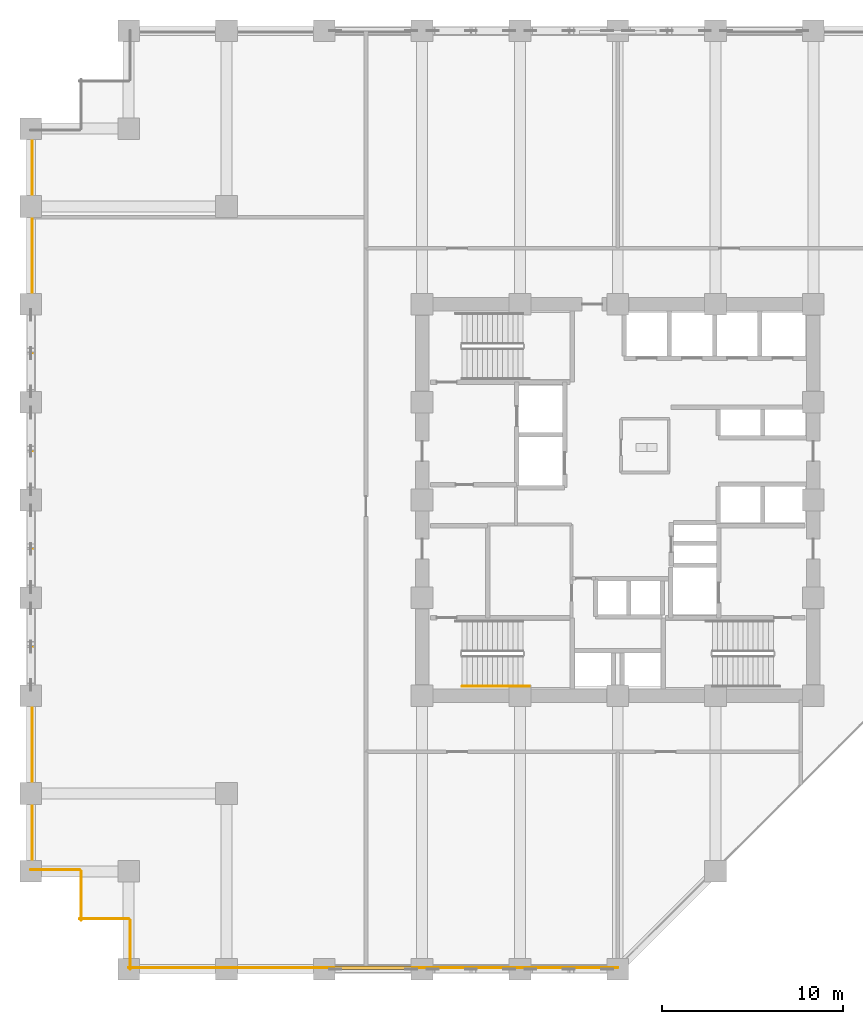
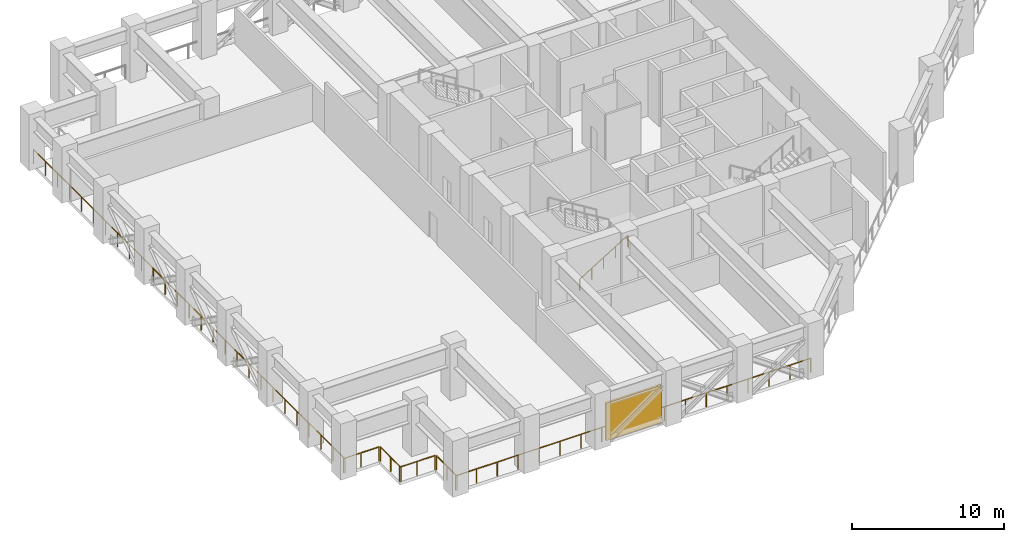
# One storey, part 7 of 12: 7 railings, 1 shading device.
"""IFC4 building model written with IfcOpenShell, lengths in metres."""

from ifc_helpers import new_model, si_unit, direction, frame, origin, origin_2d, place, context, subcontext, project, spatial, rectangle, circle, extrude, material, type_object, element, save


model = new_model("IFC4")

# Units and contexts
model_context = context("Model", 3, precision=1e-05, world=origin(), true_north=direction((0.0, 1.0)))
body_context = subcontext(model_context, "Body", "Model", "MODEL_VIEW")
ifc_project = project(units=[si_unit("LENGTHUNIT", "METRE"), si_unit("AREAUNIT", "SQUARE_METRE"), si_unit("VOLUMEUNIT", "CUBIC_METRE"), si_unit("PLANEANGLEUNIT", "RADIAN"), si_unit("MASSUNIT", "GRAM", prefix="KILO")], contexts=[model_context])

# Site, building, storey
site_placement = place(None, origin())
site = spatial("IfcSite", under=ifc_project, at=site_placement, CompositionType="ELEMENT")
building_placement = place(site_placement, origin())
building = spatial("IfcBuilding", under=site, at=building_placement, Name="Surkhivell Harbour Commons", CompositionType="ELEMENT")
storey_placement = place(building_placement, frame((0.0, 0.0, 78.75)))
storey = spatial("IfcBuildingStorey", under=building, at=storey_placement, Name="L20", CompositionType="ELEMENT", Elevation=78.75)

# Railings
ifc_material_1 = material(Name="Laminated safety glass and stainless steel S355 balustrade", Category="steel")
railing_type_1 = type_object("IfcRailingType", Name="RAL-BAL-1150", PredefinedType="BALUSTRADE", material=ifc_material_1)
railing_1_placement = place(storey_placement, frame((-27.0, -25.820068359375, 0.0)))
element("IfcRailing", 1, at=railing_1_placement, inside=storey, type_object=railing_type_1, Name="L20 Perimeter Safety Guard 01", PredefinedType="BALUSTRADE", context=body_context, shape_type="SweptSolid", body=[
    extrude(circle(Radius=0.02392578125, at=origin_2d()), frame((0.0, 0.0, 1.1259765625), z_axis=(1.0, 0.0, 0.0), x_axis=(0.0, 1.0, 0.0)), (0.0, 0.0, 1.0), 27.0),
    extrude(circle(Radius=0.02099609375, at=origin_2d()), origin(), (0.0, 0.0, 1.0), 1.101806640625),
    extrude(circle(Radius=0.02099609375, at=origin_2d()), frame((1.588134765625, 0.0, 0.0)), (0.0, 0.0, 1.0), 1.101806640625),
    extrude(circle(Radius=0.02099609375, at=origin_2d()), frame((3.176513671875, 0.0, 0.0)), (0.0, 0.0, 1.0), 1.101806640625),
    extrude(circle(Radius=0.02099609375, at=origin_2d()), frame((4.7646484375, 0.0, 0.0)), (0.0, 0.0, 1.0), 1.101806640625),
    extrude(circle(Radius=0.02099609375, at=origin_2d()), frame((6.35302734375, 0.0, 0.0)), (0.0, 0.0, 1.0), 1.101806640625),
    extrude(circle(Radius=0.02099609375, at=origin_2d()), frame((7.941162109375, 0.0, 0.0)), (0.0, 0.0, 1.0), 1.101806640625),
    extrude(circle(Radius=0.02099609375, at=origin_2d()), frame((9.529296875, 0.0, 0.0)), (0.0, 0.0, 1.0), 1.101806640625),
    extrude(circle(Radius=0.02099609375, at=origin_2d()), frame((11.11767578125, 0.0, 0.0)), (0.0, 0.0, 1.0), 1.101806640625),
    extrude(circle(Radius=0.02099609375, at=origin_2d()), frame((12.705810546875, 0.0, 0.0)), (0.0, 0.0, 1.0), 1.101806640625),
    extrude(circle(Radius=0.02099609375, at=origin_2d()), frame((14.294189453125, 0.0, 0.0)), (0.0, 0.0, 1.0), 1.101806640625),
    extrude(circle(Radius=0.02099609375, at=origin_2d()), frame((15.88232421875, 0.0, 0.0)), (0.0, 0.0, 1.0), 1.101806640625),
    extrude(circle(Radius=0.02099609375, at=origin_2d()), frame((17.470703125, 0.0, 0.0)), (0.0, 0.0, 1.0), 1.101806640625),
    extrude(circle(Radius=0.02099609375, at=origin_2d()), frame((19.058837890625, 0.0, 0.0)), (0.0, 0.0, 1.0), 1.101806640625),
    extrude(circle(Radius=0.02099609375, at=origin_2d()), frame((20.64697265625, 0.0, 0.0)), (0.0, 0.0, 1.0), 1.101806640625),
    extrude(circle(Radius=0.02099609375, at=origin_2d()), frame((22.2353515625, 0.0, 0.0)), (0.0, 0.0, 1.0), 1.101806640625),
    extrude(circle(Radius=0.02099609375, at=origin_2d()), frame((23.823486328125, 0.0, 0.0)), (0.0, 0.0, 1.0), 1.101806640625),
    extrude(circle(Radius=0.02099609375, at=origin_2d()), frame((25.411865234375, 0.0, 0.0)), (0.0, 0.0, 1.0), 1.101806640625),
    extrude(circle(Radius=0.02099609375, at=origin_2d()), frame((27.0, 0.0, 0.0)), (0.0, 0.0, 1.0), 1.101806640625),
])
railing_2_placement = place(storey_placement, frame((-32.320068359375, 20.5, 0.0)))
element("IfcRailing", 2, at=railing_2_placement, inside=storey, type_object=railing_type_1, Name="L20 Perimeter Safety Guard 13", PredefinedType="BALUSTRADE", context=body_context, shape_type="SweptSolid", body=[
    extrude(circle(Radius=0.02392578125, at=origin_2d()), frame((0.0, 0.0, 1.1259765625), z_axis=(0.0, -1.0, 0.0), x_axis=(1.0, 0.0, 0.0)), (0.0, 0.0, 1.0), 41.0),
    extrude(circle(Radius=0.02099609375, at=origin_2d()), origin(), (0.0, 0.0, 1.0), 1.101806640625),
    extrude(circle(Radius=0.02099609375, at=origin_2d()), frame((0.0, -1.576904296875, 0.0)), (0.0, 0.0, 1.0), 1.101806640625),
    extrude(circle(Radius=0.02099609375, at=origin_2d()), frame((0.0, -3.15380859375, 0.0)), (0.0, 0.0, 1.0), 1.101806640625),
    extrude(circle(Radius=0.02099609375, at=origin_2d()), frame((0.0, -4.730712890625, 0.0)), (0.0, 0.0, 1.0), 1.101806640625),
    extrude(circle(Radius=0.02099609375, at=origin_2d()), frame((0.0, -6.3076171875, 0.0)), (0.0, 0.0, 1.0), 1.101806640625),
    extrude(circle(Radius=0.02099609375, at=origin_2d()), frame((0.0, -7.884521484375, 0.0)), (0.0, 0.0, 1.0), 1.101806640625),
    extrude(circle(Radius=0.02099609375, at=origin_2d()), frame((0.0, -9.46142578125, 0.0)), (0.0, 0.0, 1.0), 1.101806640625),
    extrude(circle(Radius=0.02099609375, at=origin_2d()), frame((0.0, -11.03857421875, 0.0)), (0.0, 0.0, 1.0), 1.101806640625),
    extrude(circle(Radius=0.02099609375, at=origin_2d()), frame((0.0, -12.615478515625, 0.0)), (0.0, 0.0, 1.0), 1.101806640625),
    extrude(circle(Radius=0.02099609375, at=origin_2d()), frame((0.0, -14.1923828125, 0.0)), (0.0, 0.0, 1.0), 1.101806640625),
    extrude(circle(Radius=0.02099609375, at=origin_2d()), frame((0.0, -15.769287109375, 0.0)), (0.0, 0.0, 1.0), 1.101806640625),
    extrude(circle(Radius=0.02099609375, at=origin_2d()), frame((0.0, -17.34619140625, 0.0)), (0.0, 0.0, 1.0), 1.101806640625),
    extrude(circle(Radius=0.02099609375, at=origin_2d()), frame((0.0, -18.923095703125, 0.0)), (0.0, 0.0, 1.0), 1.101806640625),
    extrude(circle(Radius=0.02099609375, at=origin_2d()), frame((0.0, -20.5, 0.0)), (0.0, 0.0, 1.0), 1.101806640625),
    extrude(circle(Radius=0.02099609375, at=origin_2d()), frame((0.0, -22.076904296875, 0.0)), (0.0, 0.0, 1.0), 1.101806640625),
    extrude(circle(Radius=0.02099609375, at=origin_2d()), frame((0.0, -23.65380859375, 0.0)), (0.0, 0.0, 1.0), 1.101806640625),
    extrude(circle(Radius=0.02099609375, at=origin_2d()), frame((0.0, -25.230712890625, 0.0)), (0.0, 0.0, 1.0), 1.101806640625),
    extrude(circle(Radius=0.02099609375, at=origin_2d()), frame((0.0, -26.8076171875, 0.0)), (0.0, 0.0, 1.0), 1.101806640625),
    extrude(circle(Radius=0.02099609375, at=origin_2d()), frame((0.0, -28.384521484375, 0.0)), (0.0, 0.0, 1.0), 1.101806640625),
    extrude(circle(Radius=0.02099609375, at=origin_2d()), frame((0.0, -29.96142578125, 0.0)), (0.0, 0.0, 1.0), 1.101806640625),
    extrude(circle(Radius=0.02099609375, at=origin_2d()), frame((0.0, -31.53857421875, 0.0)), (0.0, 0.0, 1.0), 1.101806640625),
    extrude(circle(Radius=0.02099609375, at=origin_2d()), frame((0.0, -33.115478515625, 0.0)), (0.0, 0.0, 1.0), 1.101806640625),
    extrude(circle(Radius=0.02099609375, at=origin_2d()), frame((0.0, -34.6923828125, 0.0)), (0.0, 0.0, 1.0), 1.101806640625),
    extrude(circle(Radius=0.02099609375, at=origin_2d()), frame((0.0, -36.269287109375, 0.0)), (0.0, 0.0, 1.0), 1.101806640625),
    extrude(circle(Radius=0.02099609375, at=origin_2d()), frame((0.0, -37.84619140625, 0.0)), (0.0, 0.0, 1.0), 1.101806640625),
    extrude(circle(Radius=0.02099609375, at=origin_2d()), frame((0.0, -39.423095703125, 0.0)), (0.0, 0.0, 1.0), 1.101806640625),
    extrude(circle(Radius=0.02099609375, at=origin_2d()), frame((0.0, -41.0, 0.0)), (0.0, 0.0, 1.0), 1.101806640625),
])
railing_3_placement = place(storey_placement, frame((-32.39990234375, -20.419921875, 0.0)))
element("IfcRailing", 3, at=railing_3_placement, inside=storey, type_object=railing_type_1, Name="L20 Perimeter Safety Guard 14", PredefinedType="BALUSTRADE", context=body_context, shape_type="SweptSolid", body=[
    extrude(circle(Radius=0.02392578125, at=origin_2d()), frame((0.0, 0.0, 1.1259765625), z_axis=(1.0, 0.0, 0.0), x_axis=(0.0, 1.0, 0.0)), (0.0, 0.0, 1.0), 2.699951171875),
    extrude(circle(Radius=0.02099609375, at=origin_2d()), origin(), (0.0, 0.0, 1.0), 1.101806640625),
    extrude(circle(Radius=0.02099609375, at=origin_2d()), frame((1.35009765625, 0.0, 0.0)), (0.0, 0.0, 1.0), 1.101806640625),
    extrude(circle(Radius=0.02099609375, at=origin_2d()), frame((2.699951171875, 0.0, 0.0)), (0.0, 0.0, 1.0), 1.101806640625),
])
railing_4_placement = place(storey_placement, frame((-29.6201171875, -20.5, 0.0)))
element("IfcRailing", 4, at=railing_4_placement, inside=storey, type_object=railing_type_1, Name="L20 Perimeter Safety Guard 15", PredefinedType="BALUSTRADE", context=body_context, shape_type="SweptSolid", body=[
    extrude(circle(Radius=0.02392578125, at=origin_2d()), frame((0.0, 0.0, 1.1259765625), z_axis=(0.0, -1.0, 0.0), x_axis=(1.0, 0.0, 0.0)), (0.0, 0.0, 1.0), 2.699951171875),
    extrude(circle(Radius=0.02099609375, at=origin_2d()), origin(), (0.0, 0.0, 1.0), 1.101806640625),
    extrude(circle(Radius=0.02099609375, at=origin_2d()), frame((0.0, -1.35009765625, 0.0)), (0.0, 0.0, 1.0), 1.101806640625),
    extrude(circle(Radius=0.02099609375, at=origin_2d()), frame((0.0, -2.699951171875, 0.0)), (0.0, 0.0, 1.0), 1.101806640625),
])
railing_5_placement = place(storey_placement, frame((-29.699951171875, -23.1201171875, 0.0)))
element("IfcRailing", 5, at=railing_5_placement, inside=storey, type_object=railing_type_1, Name="L20 Perimeter Safety Guard 16", PredefinedType="BALUSTRADE", context=body_context, shape_type="SweptSolid", body=[
    extrude(circle(Radius=0.02392578125, at=origin_2d()), frame((0.0, 0.0, 1.1259765625), z_axis=(1.0, 0.0, 0.0), x_axis=(0.0, 1.0, 0.0)), (0.0, 0.0, 1.0), 2.699951171875),
    extrude(circle(Radius=0.02099609375, at=origin_2d()), origin(), (0.0, 0.0, 1.0), 1.101806640625),
    extrude(circle(Radius=0.02099609375, at=origin_2d()), frame((1.35009765625, 0.0, 0.0)), (0.0, 0.0, 1.0), 1.101806640625),
    extrude(circle(Radius=0.02099609375, at=origin_2d()), frame((2.699951171875, 0.0, 0.0)), (0.0, 0.0, 1.0), 1.101806640625),
])
railing_6_placement = place(storey_placement, frame((-26.919921875, -23.199951171875, 0.0)))
element("IfcRailing", 6, at=railing_6_placement, inside=storey, type_object=railing_type_1, Name="L20 Perimeter Safety Guard 17", PredefinedType="BALUSTRADE", context=body_context, shape_type="SweptSolid", body=[
    extrude(circle(Radius=0.02392578125, at=origin_2d()), frame((0.0, 0.0, 1.1259765625), z_axis=(0.0, -1.0, 0.0), x_axis=(1.0, 0.0, 0.0)), (0.0, 0.0, 1.0), 2.699951171875),
    extrude(circle(Radius=0.02099609375, at=origin_2d()), origin(), (0.0, 0.0, 1.0), 1.101806640625),
    extrude(circle(Radius=0.02099609375, at=origin_2d()), frame((0.0, -1.35009765625, 0.0)), (0.0, 0.0, 1.0), 1.101806640625),
    extrude(circle(Radius=0.02099609375, at=origin_2d()), frame((0.0, -2.699951171875, 0.0)), (0.0, 0.0, 1.0), 1.101806640625),
])
ifc_material_2 = material(Name="Brushed stainless steel S355 handrail", Category="steel")
railing_type_2 = type_object("IfcRailingType", Name="RAL-ST-HND900", PredefinedType="HANDRAIL", material=ifc_material_2)
railing_7_placement = place(storey_placement, frame((-8.590087890625, -10.2900390625, 0.173095703125)))
element("IfcRailing", 7, at=railing_7_placement, inside=storey, type_object=railing_type_2, Name="L20 ST3 stair handrail 1", PredefinedType="HANDRAIL", context=body_context, shape_type="SweptSolid", body=[
    extrude(circle(Radius=0.02392578125, at=origin_2d()), frame((0.0, 0.0, 0.8759765625), z_axis=(0.850622404505, 0.0, 0.525777067734), x_axis=(0.0, 1.0, 0.0)), (0.0, 0.0, 1.0), 4.279296875),
    extrude(circle(Radius=0.02392578125, at=origin_2d()), frame((3.64013671875, 0.0, 3.1259765625), z_axis=(0.418814502111, 0.0, -0.908071810388), x_axis=(0.0, 1.0, 0.0)), (0.0, 0.0, 1.0), 0.190673828125),
    extrude(circle(Radius=0.02099609375, at=origin_2d()), origin(), (0.0, 0.0, 1.0), 0.851806640625),
    extrude(circle(Radius=0.02099609375, at=origin_2d()), frame((0.91015625, 0.0, 0.5625)), (0.0, 0.0, 1.0), 0.851806640625),
    extrude(circle(Radius=0.02099609375, at=origin_2d()), frame((1.820068359375, 0.0, 1.125)), (0.0, 0.0, 1.0), 0.851806640625),
    extrude(circle(Radius=0.02099609375, at=origin_2d()), frame((2.72998046875, 0.0, 1.6875)), (0.0, 0.0, 1.0), 0.851806640625),
    extrude(circle(Radius=0.02099609375, at=origin_2d()), frame((3.64013671875, 0.0, 2.25)), (0.0, 0.0, 1.0), 0.851806640625),
    extrude(circle(Radius=0.02099609375, at=origin_2d()), frame((3.719970703125, 0.0, 2.076904296875)), (0.0, 0.0, 1.0), 0.851806640625),
])

# Shading device
ifc_material_3 = material(Name="Pale-metal acoustic weather louvre assembly", Category="aluminium")
shading_device_type = type_object("IfcShadingDeviceType", Name="SHD-LOUV-JAL", PredefinedType="JALOUSIE", material=ifc_material_3)
shading_device_placement = place(storey_placement, frame((-13.5, -25.820068359375, 0.0), z_axis=(0.0, 0.0, 1.0), x_axis=(1.0, 0.0, 0.0)))
element("IfcShadingDevice", 8, at=shading_device_placement, inside=storey, type_object=shading_device_type, Name="L20 Plant Acoustic Louvre Screen LV-01", PredefinedType="JALOUSIE", context=body_context, shape_type="SweptSolid", body=[
    extrude(rectangle(XDim=4.199951171875, YDim=0.179931640625, at=origin_2d()), origin(), (0.0, 0.0, 1.0), 3.0),
])

save(model, "model.ifc")
